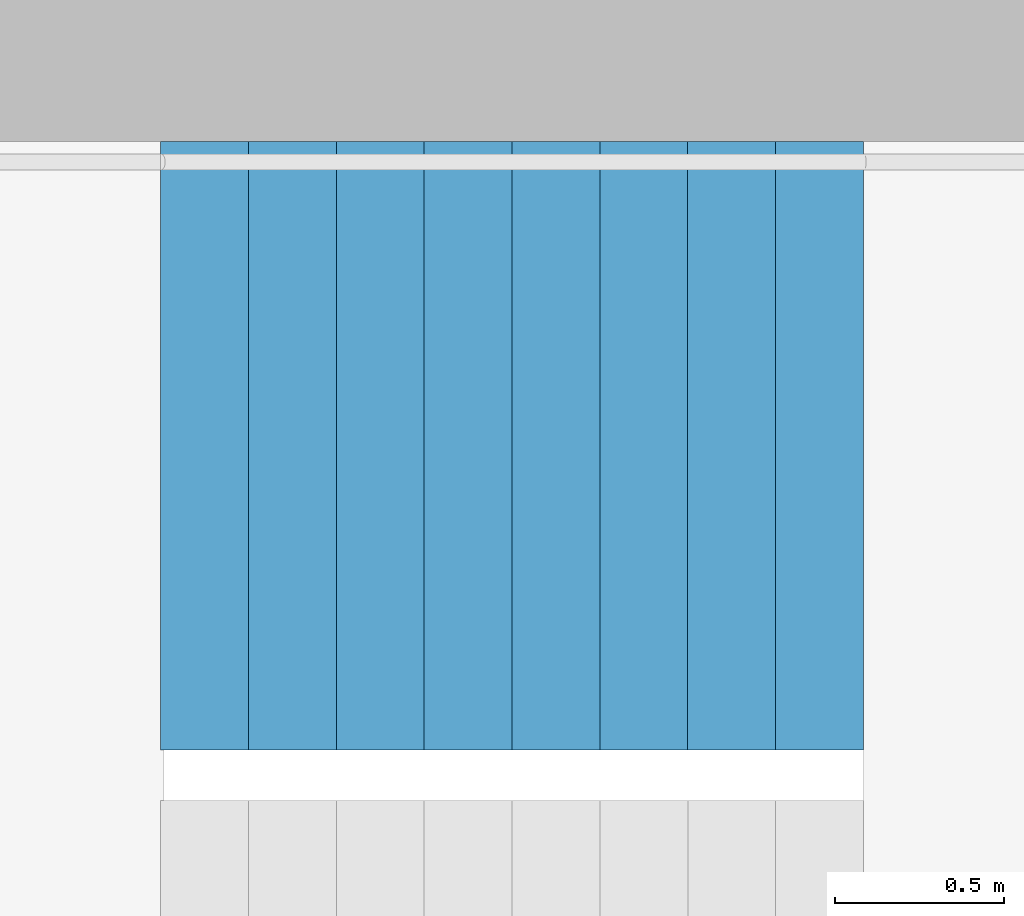
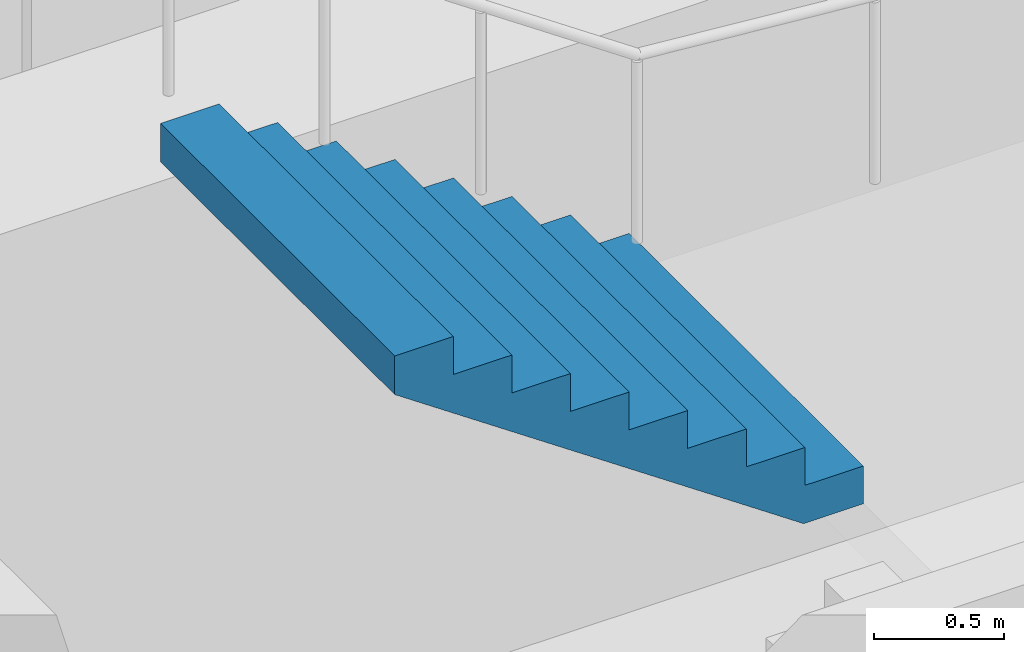
# One storey, part 21 of 26: 1 stair flight, 1 element without a shape of its own.
"""IFC4 building model written with IfcOpenShell, lengths in metres."""

from ifc_helpers import new_model, si_unit, direction, frame, origin, place, context, subcontext, project, spatial, triangles, material, type_object, element, aggregate, save


model = new_model("IFC4")

# Units and contexts
model_context = context("Model", 3, precision=1e-05, world=origin(), true_north=direction((0.0, 1.0)))
body_context = subcontext(model_context, "Body", "Model", "MODEL_VIEW")
ifc_project = project(units=[si_unit("LENGTHUNIT", "METRE"), si_unit("AREAUNIT", "SQUARE_METRE"), si_unit("VOLUMEUNIT", "CUBIC_METRE"), si_unit("PLANEANGLEUNIT", "RADIAN"), si_unit("MASSUNIT", "GRAM", prefix="KILO")], contexts=[model_context])

# Site, building, storey
site_placement = place(None, origin())
site = spatial("IfcSite", under=ifc_project, at=site_placement, CompositionType="ELEMENT")
building_placement = place(site_placement, origin())
building = spatial("IfcBuilding", under=site, at=building_placement, Name="Hakoniwa Tower and Hamabe Station Hall", CompositionType="ELEMENT")
storey_placement = place(building_placement, frame((0.0, 0.0, 196.199951171875)))
storey = spatial("IfcBuildingStorey", under=building, at=storey_placement, Name="L55", CompositionType="ELEMENT", Elevation=196.199951171875)

# Stair, stair flight
ifc_material_1 = material(Name="Concrete C40", Category="concrete")
stair_type = type_object("IfcStairType", Name="ESCAPE STAIR 1800", PredefinedType="HALF_TURN_STAIR", material=ifc_material_1)
stair_placement = place(storey_placement, origin())
stair = element("IfcStair", 1, at=stair_placement, inside=storey, type_object=stair_type, Name="Escape stair ST-1 L55", PredefinedType="HALF_TURN_STAIR")
ifc_material_2 = material(Name="Concrete C40", Category="concrete")
stair_flight_type = type_object("IfcStairFlightType", Name="STAIR FLIGHT 1800", PredefinedType="STRAIGHT", material=ifc_material_2)
stair_flight_placement = place(storey_placement, frame((-22.320068359375, 6.60009765625, 1.60009765625), z_axis=(0.0, 0.0, 1.0), x_axis=(-1.0, 0.0, 0.0)))
stair_flight = element("IfcStairFlight", 2, at=stair_flight_placement, type_object=stair_flight_type, Name="ST-1 flight 2", NumberOfRisers=9, NumberOfTreads=8, PredefinedType="STRAIGHT", RiserHeight=0.177777778, TreadLength=0.26, context=body_context, shape_type="Tessellation", body=[
    triangles([(0.0, 0.89990234375, 0.0), (0.260009765625, 0.89990234375, 0.0), (0.265625, 0.89990234375, 0.0), (0.52001953125, 0.89990234375, 0.174072265625), (0.780029296875, 0.89990234375, 0.351806640625), (1.0400390625, 0.89990234375, 0.529541015625), (1.300048828125, 0.89990234375, 0.707275390625), (1.56005859375, 0.89990234375, 0.885009765625), (1.820068359375, 0.89990234375, 1.062744140625), (2.080078125, 0.89990234375, 1.24072265625), (2.080078125, 0.89990234375, 1.422119140625), (1.820068359375, 0.89990234375, 1.422119140625), (1.820068359375, 0.89990234375, 1.244384765625), (1.56005859375, 0.89990234375, 1.244384765625), (1.56005859375, 0.89990234375, 1.066650390625), (1.300048828125, 0.89990234375, 1.066650390625), (1.300048828125, 0.89990234375, 0.888916015625), (1.0400390625, 0.89990234375, 0.888916015625), (1.0400390625, 0.89990234375, 0.711181640625), (0.780029296875, 0.89990234375, 0.711181640625), (0.780029296875, 0.89990234375, 0.533447265625), (0.52001953125, 0.89990234375, 0.533447265625), (0.52001953125, 0.89990234375, 0.35546875), (0.265625, 0.89990234375, 0.35546875), (0.260009765625, 0.89990234375, 0.35546875), (0.260009765625, 0.89990234375, 0.177734375), (0.0, 0.89990234375, 0.177734375), (0.0, 0.06005859375, 0.0), (0.260009765625, 0.06005859375, 0.0), (0.265625, 0.06005859375, 0.0), (0.52001953125, 0.06005859375, 0.174072265625), (0.780029296875, 0.06005859375, 0.351806640625), (1.0400390625, 0.06005859375, 0.529541015625), (1.300048828125, 0.06005859375, 0.707275390625), (1.56005859375, 0.06005859375, 0.885009765625), (1.820068359375, 0.06005859375, 1.062744140625), (2.080078125, 0.06005859375, 1.24072265625), (2.080078125, 0.06005859375, 1.422119140625), (1.820068359375, 0.06005859375, 1.422119140625), (1.820068359375, 0.06005859375, 1.244384765625), (1.56005859375, 0.06005859375, 1.244384765625), (1.56005859375, 0.06005859375, 1.066650390625), (1.300048828125, 0.06005859375, 1.066650390625), (1.300048828125, 0.06005859375, 0.888916015625), (1.0400390625, 0.06005859375, 0.888916015625), (1.0400390625, 0.06005859375, 0.711181640625), (0.780029296875, 0.06005859375, 0.711181640625), (0.780029296875, 0.06005859375, 0.533447265625), (0.52001953125, 0.06005859375, 0.533447265625), (0.52001953125, 0.06005859375, 0.35546875), (0.265625, 0.06005859375, 0.35546875), (0.260009765625, 0.06005859375, 0.35546875), (0.260009765625, 0.06005859375, 0.177734375), (0.0, 0.06005859375, 0.177734375), (0.0, 0.04296875, 0.0), (0.260009765625, 0.04296875, 0.0), (0.265625, 0.04296875, 0.0), (0.52001953125, 0.04296875, 0.174072265625), (0.780029296875, 0.04296875, 0.351806640625), (1.0400390625, 0.04296875, 0.529541015625), (1.300048828125, 0.04296875, 0.707275390625), (1.56005859375, 0.04296875, 0.885009765625), (1.820068359375, 0.04296875, 1.062744140625), (2.080078125, 0.04296875, 1.24072265625), (2.080078125, 0.04296875, 1.422119140625), (1.820068359375, 0.04296875, 1.422119140625), (1.820068359375, 0.04296875, 1.244384765625), (1.56005859375, 0.04296875, 1.244384765625), (1.56005859375, 0.04296875, 1.066650390625), (1.300048828125, 0.04296875, 1.066650390625), (1.300048828125, 0.04296875, 0.888916015625), (1.0400390625, 0.04296875, 0.888916015625), (1.0400390625, 0.04296875, 0.711181640625), (0.780029296875, 0.04296875, 0.711181640625), (0.780029296875, 0.04296875, 0.533447265625), (0.52001953125, 0.04296875, 0.533447265625), (0.52001953125, 0.04296875, 0.35546875), (0.265625, 0.04296875, 0.35546875), (0.260009765625, 0.04296875, 0.35546875), (0.260009765625, 0.04296875, 0.177734375), (0.0, 0.04296875, 0.177734375), (0.0, 0.025634765625, 0.0), (0.260009765625, 0.025634765625, 0.0), (0.265625, 0.025634765625, 0.0), (0.52001953125, 0.025634765625, 0.174072265625), (0.780029296875, 0.025634765625, 0.351806640625), (1.0400390625, 0.025634765625, 0.529541015625), (1.300048828125, 0.025634765625, 0.707275390625), (1.56005859375, 0.025634765625, 0.885009765625), (1.820068359375, 0.025634765625, 1.062744140625), (2.080078125, 0.025634765625, 1.24072265625), (2.080078125, 0.025634765625, 1.422119140625), (1.820068359375, 0.025634765625, 1.422119140625), (1.820068359375, 0.025634765625, 1.244384765625), (1.56005859375, 0.025634765625, 1.244384765625), (1.56005859375, 0.025634765625, 1.066650390625), (1.300048828125, 0.025634765625, 1.066650390625), (1.300048828125, 0.025634765625, 0.888916015625), (1.0400390625, 0.025634765625, 0.888916015625), (1.0400390625, 0.025634765625, 0.711181640625), (0.780029296875, 0.025634765625, 0.711181640625), (0.780029296875, 0.025634765625, 0.533447265625), (0.52001953125, 0.025634765625, 0.533447265625), (0.52001953125, 0.025634765625, 0.35546875), (0.265625, 0.025634765625, 0.35546875), (0.260009765625, 0.025634765625, 0.35546875), (0.260009765625, 0.025634765625, 0.177734375), (0.0, 0.025634765625, 0.177734375), (0.0, 0.008544921875, 0.0), (0.260009765625, 0.008544921875, 0.0), (0.265625, 0.008544921875, 0.0), (0.52001953125, 0.008544921875, 0.174072265625), (0.780029296875, 0.008544921875, 0.351806640625), (1.0400390625, 0.008544921875, 0.529541015625), (1.300048828125, 0.008544921875, 0.707275390625), (1.56005859375, 0.008544921875, 0.885009765625), (1.820068359375, 0.008544921875, 1.062744140625), (2.080078125, 0.008544921875, 1.24072265625), (2.080078125, 0.008544921875, 1.422119140625), (1.820068359375, 0.008544921875, 1.422119140625), (1.820068359375, 0.008544921875, 1.244384765625), (1.56005859375, 0.008544921875, 1.244384765625), (1.56005859375, 0.008544921875, 1.066650390625), (1.300048828125, 0.008544921875, 1.066650390625), (1.300048828125, 0.008544921875, 0.888916015625), (1.0400390625, 0.008544921875, 0.888916015625), (1.0400390625, 0.008544921875, 0.711181640625), (0.780029296875, 0.008544921875, 0.711181640625), (0.780029296875, 0.008544921875, 0.533447265625), (0.52001953125, 0.008544921875, 0.533447265625), (0.52001953125, 0.008544921875, 0.35546875), (0.265625, 0.008544921875, 0.35546875), (0.260009765625, 0.008544921875, 0.35546875), (0.260009765625, 0.008544921875, 0.177734375), (0.0, 0.008544921875, 0.177734375), (0.0, -0.008544921875, 0.0), (0.260009765625, -0.008544921875, 0.0), (0.265625, -0.008544921875, 0.0), (0.52001953125, -0.008544921875, 0.174072265625), (0.780029296875, -0.008544921875, 0.351806640625), (1.0400390625, -0.008544921875, 0.529541015625), (1.300048828125, -0.008544921875, 0.707275390625), (1.56005859375, -0.008544921875, 0.885009765625), (1.820068359375, -0.008544921875, 1.062744140625), (2.080078125, -0.008544921875, 1.24072265625), (2.080078125, -0.008544921875, 1.422119140625), (1.820068359375, -0.008544921875, 1.422119140625), (1.820068359375, -0.008544921875, 1.244384765625), (1.56005859375, -0.008544921875, 1.244384765625), (1.56005859375, -0.008544921875, 1.066650390625), (1.300048828125, -0.008544921875, 1.066650390625), (1.300048828125, -0.008544921875, 0.888916015625), (1.0400390625, -0.008544921875, 0.888916015625), (1.0400390625, -0.008544921875, 0.711181640625), (0.780029296875, -0.008544921875, 0.711181640625), (0.780029296875, -0.008544921875, 0.533447265625), (0.52001953125, -0.008544921875, 0.533447265625), (0.52001953125, -0.008544921875, 0.35546875), (0.265625, -0.008544921875, 0.35546875), (0.260009765625, -0.008544921875, 0.35546875), (0.260009765625, -0.008544921875, 0.177734375), (0.0, -0.008544921875, 0.177734375), (0.0, -0.025634765625, 0.0), (0.260009765625, -0.025634765625, 0.0), (0.265625, -0.025634765625, 0.0), (0.52001953125, -0.025634765625, 0.174072265625), (0.780029296875, -0.025634765625, 0.351806640625), (1.0400390625, -0.025634765625, 0.529541015625), (1.300048828125, -0.025634765625, 0.707275390625), (1.56005859375, -0.025634765625, 0.885009765625), (1.820068359375, -0.025634765625, 1.062744140625), (2.080078125, -0.025634765625, 1.24072265625), (2.080078125, -0.025634765625, 1.422119140625), (1.820068359375, -0.025634765625, 1.422119140625), (1.820068359375, -0.025634765625, 1.244384765625), (1.56005859375, -0.025634765625, 1.244384765625), (1.56005859375, -0.025634765625, 1.066650390625), (1.300048828125, -0.025634765625, 1.066650390625), (1.300048828125, -0.025634765625, 0.888916015625), (1.0400390625, -0.025634765625, 0.888916015625), (1.0400390625, -0.025634765625, 0.711181640625), (0.780029296875, -0.025634765625, 0.711181640625), (0.780029296875, -0.025634765625, 0.533447265625), (0.52001953125, -0.025634765625, 0.533447265625), (0.52001953125, -0.025634765625, 0.35546875), (0.265625, -0.025634765625, 0.35546875), (0.260009765625, -0.025634765625, 0.35546875), (0.260009765625, -0.025634765625, 0.177734375), (0.0, -0.025634765625, 0.177734375), (0.0, -0.04296875, 0.0), (0.260009765625, -0.04296875, 0.0), (0.265625, -0.04296875, 0.0), (0.52001953125, -0.04296875, 0.174072265625), (0.780029296875, -0.04296875, 0.351806640625), (1.0400390625, -0.04296875, 0.529541015625), (1.300048828125, -0.04296875, 0.707275390625), (1.56005859375, -0.04296875, 0.885009765625), (1.820068359375, -0.04296875, 1.062744140625), (2.080078125, -0.04296875, 1.24072265625), (2.080078125, -0.04296875, 1.422119140625), (1.820068359375, -0.04296875, 1.422119140625), (1.820068359375, -0.04296875, 1.244384765625), (1.56005859375, -0.04296875, 1.244384765625), (1.56005859375, -0.04296875, 1.066650390625), (1.300048828125, -0.04296875, 1.066650390625), (1.300048828125, -0.04296875, 0.888916015625), (1.0400390625, -0.04296875, 0.888916015625), (1.0400390625, -0.04296875, 0.711181640625), (0.780029296875, -0.04296875, 0.711181640625), (0.780029296875, -0.04296875, 0.533447265625), (0.52001953125, -0.04296875, 0.533447265625), (0.52001953125, -0.04296875, 0.35546875), (0.265625, -0.04296875, 0.35546875), (0.260009765625, -0.04296875, 0.35546875), (0.260009765625, -0.04296875, 0.177734375), (0.0, -0.04296875, 0.177734375), (0.0, -0.06005859375, 0.0), (0.260009765625, -0.06005859375, 0.0), (0.265625, -0.06005859375, 0.0), (0.52001953125, -0.06005859375, 0.174072265625), (0.780029296875, -0.06005859375, 0.351806640625), (1.0400390625, -0.06005859375, 0.529541015625), (1.300048828125, -0.06005859375, 0.707275390625), (1.56005859375, -0.06005859375, 0.885009765625), (1.820068359375, -0.06005859375, 1.062744140625), (2.080078125, -0.06005859375, 1.24072265625), (2.080078125, -0.06005859375, 1.422119140625), (1.820068359375, -0.06005859375, 1.422119140625), (1.820068359375, -0.06005859375, 1.244384765625), (1.56005859375, -0.06005859375, 1.244384765625), (1.56005859375, -0.06005859375, 1.066650390625), (1.300048828125, -0.06005859375, 1.066650390625), (1.300048828125, -0.06005859375, 0.888916015625), (1.0400390625, -0.06005859375, 0.888916015625), (1.0400390625, -0.06005859375, 0.711181640625), (0.780029296875, -0.06005859375, 0.711181640625), (0.780029296875, -0.06005859375, 0.533447265625), (0.52001953125, -0.06005859375, 0.533447265625), (0.52001953125, -0.06005859375, 0.35546875), (0.265625, -0.06005859375, 0.35546875), (0.260009765625, -0.06005859375, 0.35546875), (0.260009765625, -0.06005859375, 0.177734375), (0.0, -0.06005859375, 0.177734375), (0.0, -0.89990234375, 0.0), (0.260009765625, -0.89990234375, 0.0), (0.265625, -0.89990234375, 0.0), (0.52001953125, -0.89990234375, 0.174072265625), (0.780029296875, -0.89990234375, 0.351806640625), (1.0400390625, -0.89990234375, 0.529541015625), (1.300048828125, -0.89990234375, 0.707275390625), (1.56005859375, -0.89990234375, 0.885009765625), (1.820068359375, -0.89990234375, 1.062744140625), (2.080078125, -0.89990234375, 1.24072265625), (2.080078125, -0.89990234375, 1.422119140625), (1.820068359375, -0.89990234375, 1.422119140625), (1.820068359375, -0.89990234375, 1.244384765625), (1.56005859375, -0.89990234375, 1.244384765625), (1.56005859375, -0.89990234375, 1.066650390625), (1.300048828125, -0.89990234375, 1.066650390625), (1.300048828125, -0.89990234375, 0.888916015625), (1.0400390625, -0.89990234375, 0.888916015625), (1.0400390625, -0.89990234375, 0.711181640625), (0.780029296875, -0.89990234375, 0.711181640625), (0.780029296875, -0.89990234375, 0.533447265625), (0.52001953125, -0.89990234375, 0.533447265625), (0.52001953125, -0.89990234375, 0.35546875), (0.265625, -0.89990234375, 0.35546875), (0.260009765625, -0.89990234375, 0.35546875), (0.260009765625, -0.89990234375, 0.177734375), (0.0, -0.89990234375, 0.177734375)], [[2, 27, 26], [245, 269, 270], [2, 1, 27], [245, 270, 244], [3, 25, 24], [246, 267, 268], [3, 26, 25], [246, 268, 269], [3, 2, 26], [246, 269, 245], [4, 24, 23], [247, 266, 267], [4, 3, 24], [247, 267, 246], [5, 22, 21], [248, 264, 265], [5, 23, 22], [248, 265, 266], [5, 4, 23], [248, 266, 247], [6, 20, 19], [249, 262, 263], [6, 21, 20], [249, 263, 264], [6, 5, 21], [249, 264, 248], [7, 18, 17], [250, 260, 261], [7, 19, 18], [250, 261, 262], [7, 6, 19], [250, 262, 249], [8, 16, 15], [251, 258, 259], [8, 17, 16], [251, 259, 260], [8, 7, 17], [251, 260, 250], [9, 14, 13], [252, 256, 257], [9, 15, 14], [252, 257, 258], [9, 8, 15], [252, 258, 251], [10, 12, 11], [253, 254, 255], [10, 13, 12], [253, 255, 256], [10, 9, 13], [253, 256, 252], [1, 2, 29], [1, 29, 28], [28, 29, 56], [28, 56, 55], [55, 56, 83], [55, 83, 82], [82, 83, 110], [82, 110, 109], [109, 110, 137], [109, 137, 136], [136, 137, 164], [136, 164, 163], [163, 164, 191], [163, 191, 190], [190, 191, 218], [190, 218, 217], [217, 218, 245], [217, 245, 244], [2, 3, 30], [2, 30, 29], [29, 30, 57], [29, 57, 56], [56, 57, 84], [56, 84, 83], [83, 84, 111], [83, 111, 110], [110, 111, 138], [110, 138, 137], [137, 138, 165], [137, 165, 164], [164, 165, 192], [164, 192, 191], [191, 192, 219], [191, 219, 218], [218, 219, 246], [218, 246, 245], [3, 4, 31], [3, 31, 30], [30, 31, 58], [30, 58, 57], [57, 58, 85], [57, 85, 84], [84, 85, 112], [84, 112, 111], [111, 112, 139], [111, 139, 138], [138, 139, 166], [138, 166, 165], [165, 166, 193], [165, 193, 192], [192, 193, 220], [192, 220, 219], [219, 220, 247], [219, 247, 246], [4, 5, 32], [4, 32, 31], [31, 32, 59], [31, 59, 58], [58, 59, 86], [58, 86, 85], [85, 86, 113], [85, 113, 112], [112, 113, 140], [112, 140, 139], [139, 140, 167], [139, 167, 166], [166, 167, 194], [166, 194, 193], [193, 194, 221], [193, 221, 220], [220, 221, 248], [220, 248, 247], [5, 6, 33], [5, 33, 32], [32, 33, 60], [32, 60, 59], [59, 60, 87], [59, 87, 86], [86, 87, 114], [86, 114, 113], [113, 114, 141], [113, 141, 140], [140, 141, 168], [140, 168, 167], [167, 168, 195], [167, 195, 194], [194, 195, 222], [194, 222, 221], [221, 222, 249], [221, 249, 248], [6, 7, 34], [6, 34, 33], [33, 34, 61], [33, 61, 60], [60, 61, 88], [60, 88, 87], [87, 88, 115], [87, 115, 114], [114, 115, 142], [114, 142, 141], [141, 142, 169], [141, 169, 168], [168, 169, 196], [168, 196, 195], [195, 196, 223], [195, 223, 222], [222, 223, 250], [222, 250, 249], [7, 8, 35], [7, 35, 34], [34, 35, 62], [34, 62, 61], [61, 62, 89], [61, 89, 88], [88, 89, 116], [88, 116, 115], [115, 116, 143], [115, 143, 142], [142, 143, 170], [142, 170, 169], [169, 170, 197], [169, 197, 196], [196, 197, 224], [196, 224, 223], [223, 224, 251], [223, 251, 250], [8, 9, 36], [8, 36, 35], [35, 36, 63], [35, 63, 62], [62, 63, 90], [62, 90, 89], [89, 90, 117], [89, 117, 116], [116, 117, 144], [116, 144, 143], [143, 144, 171], [143, 171, 170], [170, 171, 198], [170, 198, 197], [197, 198, 225], [197, 225, 224], [224, 225, 252], [224, 252, 251], [9, 10, 37], [9, 37, 36], [36, 37, 64], [36, 64, 63], [63, 64, 91], [63, 91, 90], [90, 91, 118], [90, 118, 117], [117, 118, 145], [117, 145, 144], [144, 145, 172], [144, 172, 171], [171, 172, 199], [171, 199, 198], [198, 199, 226], [198, 226, 225], [225, 226, 253], [225, 253, 252], [10, 11, 38], [10, 38, 37], [37, 38, 65], [37, 65, 64], [64, 65, 92], [64, 92, 91], [91, 92, 119], [91, 119, 118], [118, 119, 146], [118, 146, 145], [145, 146, 173], [145, 173, 172], [172, 173, 200], [172, 200, 199], [199, 200, 227], [199, 227, 226], [226, 227, 254], [226, 254, 253], [11, 12, 39], [11, 39, 38], [38, 39, 66], [38, 66, 65], [65, 66, 93], [65, 93, 92], [92, 93, 120], [92, 120, 119], [119, 120, 147], [119, 147, 146], [146, 147, 174], [146, 174, 173], [173, 174, 201], [173, 201, 200], [200, 201, 228], [200, 228, 227], [227, 228, 255], [227, 255, 254], [12, 13, 40], [12, 40, 39], [39, 40, 67], [39, 67, 66], [66, 67, 94], [66, 94, 93], [93, 94, 121], [93, 121, 120], [120, 121, 148], [120, 148, 147], [147, 148, 175], [147, 175, 174], [174, 175, 202], [174, 202, 201], [201, 202, 229], [201, 229, 228], [228, 229, 256], [228, 256, 255], [13, 14, 41], [13, 41, 40], [40, 41, 68], [40, 68, 67], [67, 68, 95], [67, 95, 94], [94, 95, 122], [94, 122, 121], [121, 122, 149], [121, 149, 148], [148, 149, 176], [148, 176, 175], [175, 176, 203], [175, 203, 202], [202, 203, 230], [202, 230, 229], [229, 230, 257], [229, 257, 256], [14, 15, 42], [14, 42, 41], [41, 42, 69], [41, 69, 68], [68, 69, 96], [68, 96, 95], [95, 96, 123], [95, 123, 122], [122, 123, 150], [122, 150, 149], [149, 150, 177], [149, 177, 176], [176, 177, 204], [176, 204, 203], [203, 204, 231], [203, 231, 230], [230, 231, 258], [230, 258, 257], [15, 16, 43], [15, 43, 42], [42, 43, 70], [42, 70, 69], [69, 70, 97], [69, 97, 96], [96, 97, 124], [96, 124, 123], [123, 124, 151], [123, 151, 150], [150, 151, 178], [150, 178, 177], [177, 178, 205], [177, 205, 204], [204, 205, 232], [204, 232, 231], [231, 232, 259], [231, 259, 258], [16, 17, 44], [16, 44, 43], [43, 44, 71], [43, 71, 70], [70, 71, 98], [70, 98, 97], [97, 98, 125], [97, 125, 124], [124, 125, 152], [124, 152, 151], [151, 152, 179], [151, 179, 178], [178, 179, 206], [178, 206, 205], [205, 206, 233], [205, 233, 232], [232, 233, 260], [232, 260, 259], [17, 18, 45], [17, 45, 44], [44, 45, 72], [44, 72, 71], [71, 72, 99], [71, 99, 98], [98, 99, 126], [98, 126, 125], [125, 126, 153], [125, 153, 152], [152, 153, 180], [152, 180, 179], [179, 180, 207], [179, 207, 206], [206, 207, 234], [206, 234, 233], [233, 234, 261], [233, 261, 260], [18, 19, 46], [18, 46, 45], [45, 46, 73], [45, 73, 72], [72, 73, 100], [72, 100, 99], [99, 100, 127], [99, 127, 126], [126, 127, 154], [126, 154, 153], [153, 154, 181], [153, 181, 180], [180, 181, 208], [180, 208, 207], [207, 208, 235], [207, 235, 234], [234, 235, 262], [234, 262, 261], [19, 20, 47], [19, 47, 46], [46, 47, 74], [46, 74, 73], [73, 74, 101], [73, 101, 100], [100, 101, 128], [100, 128, 127], [127, 128, 155], [127, 155, 154], [154, 155, 182], [154, 182, 181], [181, 182, 209], [181, 209, 208], [208, 209, 236], [208, 236, 235], [235, 236, 263], [235, 263, 262], [20, 21, 48], [20, 48, 47], [47, 48, 75], [47, 75, 74], [74, 75, 102], [74, 102, 101], [101, 102, 129], [101, 129, 128], [128, 129, 156], [128, 156, 155], [155, 156, 183], [155, 183, 182], [182, 183, 210], [182, 210, 209], [209, 210, 237], [209, 237, 236], [236, 237, 264], [236, 264, 263], [21, 22, 49], [21, 49, 48], [48, 49, 76], [48, 76, 75], [75, 76, 103], [75, 103, 102], [102, 103, 130], [102, 130, 129], [129, 130, 157], [129, 157, 156], [156, 157, 184], [156, 184, 183], [183, 184, 211], [183, 211, 210], [210, 211, 238], [210, 238, 237], [237, 238, 265], [237, 265, 264], [22, 23, 50], [22, 50, 49], [49, 50, 77], [49, 77, 76], [76, 77, 104], [76, 104, 103], [103, 104, 131], [103, 131, 130], [130, 131, 158], [130, 158, 157], [157, 158, 185], [157, 185, 184], [184, 185, 212], [184, 212, 211], [211, 212, 239], [211, 239, 238], [238, 239, 266], [238, 266, 265], [23, 24, 51], [23, 51, 50], [50, 51, 78], [50, 78, 77], [77, 78, 105], [77, 105, 104], [104, 105, 132], [104, 132, 131], [131, 132, 159], [131, 159, 158], [158, 159, 186], [158, 186, 185], [185, 186, 213], [185, 213, 212], [212, 213, 240], [212, 240, 239], [239, 240, 267], [239, 267, 266], [24, 25, 52], [24, 52, 51], [51, 52, 79], [51, 79, 78], [78, 79, 106], [78, 106, 105], [105, 106, 133], [105, 133, 132], [132, 133, 160], [132, 160, 159], [159, 160, 187], [159, 187, 186], [186, 187, 214], [186, 214, 213], [213, 214, 241], [213, 241, 240], [240, 241, 268], [240, 268, 267], [25, 26, 53], [25, 53, 52], [52, 53, 80], [52, 80, 79], [79, 80, 107], [79, 107, 106], [106, 107, 134], [106, 134, 133], [133, 134, 161], [133, 161, 160], [160, 161, 188], [160, 188, 187], [187, 188, 215], [187, 215, 214], [214, 215, 242], [214, 242, 241], [241, 242, 269], [241, 269, 268], [26, 27, 54], [26, 54, 53], [53, 54, 81], [53, 81, 80], [80, 81, 108], [80, 108, 107], [107, 108, 135], [107, 135, 134], [134, 135, 162], [134, 162, 161], [161, 162, 189], [161, 189, 188], [188, 189, 216], [188, 216, 215], [215, 216, 243], [215, 243, 242], [242, 243, 270], [242, 270, 269], [27, 1, 28], [27, 28, 54], [54, 28, 55], [54, 55, 81], [81, 55, 82], [81, 82, 108], [108, 82, 109], [108, 109, 135], [135, 109, 136], [135, 136, 162], [162, 136, 163], [162, 163, 189], [189, 163, 190], [189, 190, 216], [216, 190, 217], [216, 217, 243], [243, 217, 244], [243, 244, 270]], closed=True),
])
aggregate(stair, [stair_flight])

save(model, "model.ifc")
